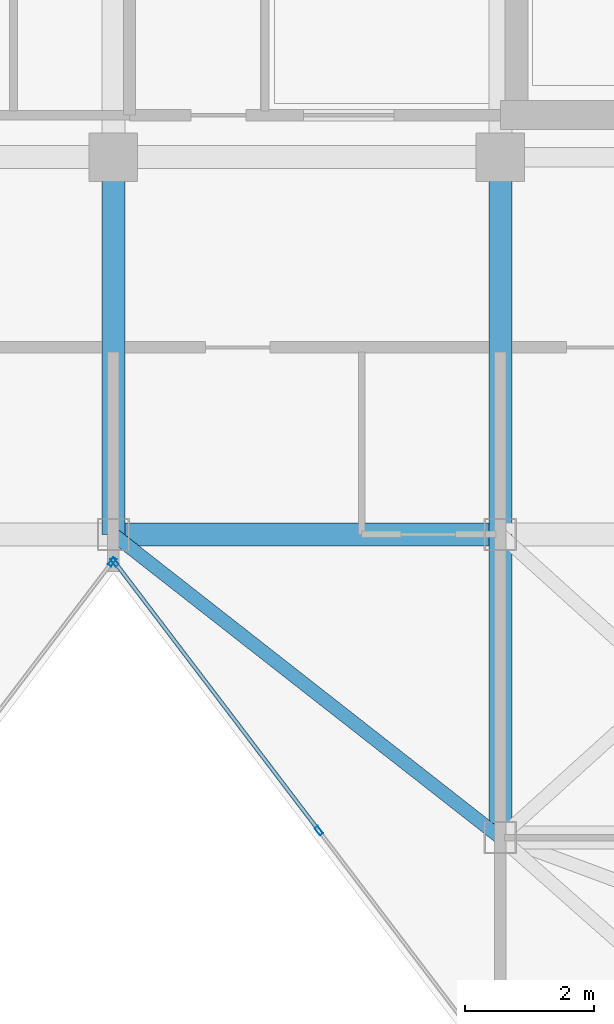
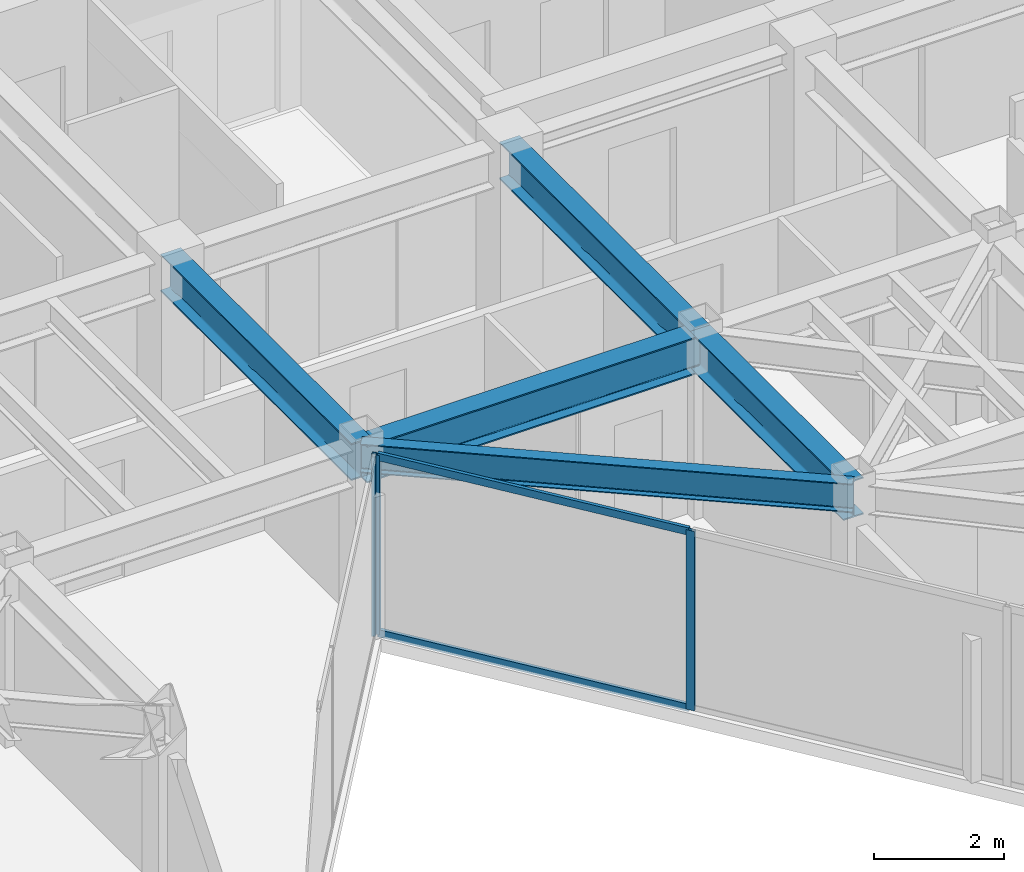
# One storey, part 9 of 19: 5 beams, 5 members, 2 elements without a shape of their own.
"""IFC4 building model written with IfcOpenShell, lengths in metres."""

from ifc_helpers import new_model, si_unit, direction, frame, origin, origin_2d, place, context, subcontext, project, spatial, hollow_rectangle, i_section, extrude, material, layer, layer_set, material_profile, profile_set, type_object, element, aggregate, save


model = new_model("IFC4")

# Units and contexts
model_context = context("Model", 3, precision=1e-05, world=origin(), true_north=direction((0.0, 1.0)))
body_context = subcontext(model_context, "Body", "Model", "MODEL_VIEW")
ifc_project = project(units=[si_unit("LENGTHUNIT", "METRE"), si_unit("AREAUNIT", "SQUARE_METRE"), si_unit("VOLUMEUNIT", "CUBIC_METRE"), si_unit("PLANEANGLEUNIT", "RADIAN"), si_unit("MASSUNIT", "GRAM", prefix="KILO")], contexts=[model_context])

# Site, building, storey
site_placement = place(None, origin())
site = spatial("IfcSite", under=ifc_project, at=site_placement, CompositionType="ELEMENT")
building_placement = place(site_placement, origin())
building = spatial("IfcBuilding", under=site, at=building_placement, Name="Kravanh Interchange Tower", CompositionType="ELEMENT")
storey_placement = place(building_placement, frame((0.0, 0.0, 267.0)))
storey = spatial("IfcBuildingStorey", under=building, at=storey_placement, Name="L65", CompositionType="ELEMENT", Elevation=267.0)

# Curtain wall, members
ifc_material_1 = material(Name="Anodised Bronze Aluminium", Category="aluminium")
ifc_layer = layer(ifc_material_1, 0.179931640625)
ifc_layer_set = layer_set([ifc_layer], Name="Unitised Curtain Wall System CW-HTL Luxury Hotel")
curtain_wall_type = type_object("IfcCurtainWallType", Name="Unitised Curtain Wall System CW-HTL Luxury Hotel", PredefinedType="NOTDEFINED", material=ifc_layer_set)
curtain_wall_1_placement = place(storey_placement, origin())
curtain_wall_1 = element("IfcCurtainWall", 1, at=curtain_wall_1_placement, inside=storey, type_object=curtain_wall_type, Name="L65 Unitised Curtain Wall CW-L65-04", PredefinedType="NOTDEFINED")
ifc_material_2 = material(Name="Anodised Bronze Aluminium", Category="aluminium")
ifc_material_profile_1 = material_profile(ifc_material_2, hollow_rectangle(XDim=0.06005859375, YDim=0.139892578125, WallThickness=0.00390625, at=origin_2d()), Name="ALU60X140X4")
ifc_profile_set_1 = profile_set([ifc_material_profile_1], Name="Anodised Bronze Aluminium")
member_type_1 = type_object("IfcMemberType", Name="Curtain Wall Mullion ALU60X140X4 Bronze", PredefinedType="MULLION", material=ifc_profile_set_1)
member_1_placement = place(storey_placement, frame((47.986572265625, 26.905517578125, 0.0), z_axis=(0.0, 0.0, 1.0), x_axis=(-0.79616243806, -0.605082946564, 0.0)))
member_1 = element("IfcMember", 2, at=member_1_placement, type_object=member_type_1, Name="CW-HTL mullion 3", PredefinedType="MULLION", context=body_context, shape_type="SweptSolid", body=[
    extrude(hollow_rectangle(XDim=0.06005859375, YDim=0.139892578125, WallThickness=0.00390625, at=origin_2d()), origin(), (0.0, 0.0, 1.0), 3.360107421875),
])
member_2_placement = place(storey_placement, frame((44.818115234375, 31.074462890625, 0.0), z_axis=(0.0, 0.0, 1.0), x_axis=(-0.79616243806, -0.605082946564, 0.0)))
member_2 = element("IfcMember", 3, at=member_2_placement, type_object=member_type_1, Name="CW-HTL mullion 4", PredefinedType="MULLION", context=body_context, shape_type="SweptSolid", body=[
    extrude(hollow_rectangle(XDim=0.06005859375, YDim=0.139892578125, WallThickness=0.00390625, at=origin_2d()), origin(), (0.0, 0.0, 1.0), 3.360107421875),
])

# Curtain wall, member
curtain_wall_2_placement = place(storey_placement, origin())
curtain_wall_2 = element("IfcCurtainWall", 4, at=curtain_wall_2_placement, inside=storey, type_object=curtain_wall_type, Name="L65 Unitised Curtain Wall CW-L65-05", PredefinedType="NOTDEFINED")
member_3_placement = place(storey_placement, frame((44.78173828125, 31.074462890625, 0.0), z_axis=(0.0, 0.0, 1.0), x_axis=(0.79616243806, -0.605082946564, 0.0)))
member_3 = element("IfcMember", 5, at=member_3_placement, type_object=member_type_1, Name="CW-HTL mullion 1", PredefinedType="MULLION", context=body_context, shape_type="SweptSolid", body=[
    extrude(hollow_rectangle(XDim=0.06005859375, YDim=0.139892578125, WallThickness=0.00390625, at=origin_2d()), origin(), (0.0, 0.0, 1.0), 3.360107421875),
])
aggregate(curtain_wall_2, [member_3])

# Member
ifc_material_3 = material(Name="Anodised Bronze Aluminium", Category="aluminium")
ifc_material_profile_2 = material_profile(ifc_material_3, hollow_rectangle(XDim=0.06005859375, YDim=0.139892578125, WallThickness=0.00390625, at=origin_2d()), Name="ALU60X140X4")
ifc_profile_set_2 = profile_set([ifc_material_profile_2], Name="Anodised Bronze Aluminium")
member_type_2 = type_object("IfcMemberType", Name="Curtain Wall Transom ALU60X140X4 Bronze", PredefinedType="USERDEFINED", material=ifc_profile_set_2)
member_4_placement = place(storey_placement, frame((47.96826171875, 26.929443359375, 0.030029296875), z_axis=(-0.605059348861, 0.796180371747, 0.0), x_axis=(-0.796180371747, -0.605059348861, 0.0)))
member_4 = element("IfcMember", 6, at=member_4_placement, type_object=member_type_2, Name="CW-HTL transom 3.1", ObjectType="TRANSOM", PredefinedType="USERDEFINED", context=body_context, shape_type="SweptSolid", body=[
    extrude(hollow_rectangle(XDim=0.06005859375, YDim=0.139892578125, WallThickness=0.00390625, at=origin_2d()), origin(), (0.0, 0.0, 1.0), 5.176025390625),
])

member_5_placement = place(storey_placement, frame((47.96826171875, 26.929443359375, 3.330078125), z_axis=(-0.605059348861, 0.796180371747, 0.0), x_axis=(-0.796180371747, -0.605059348861, 0.0)))
member_5 = element("IfcMember", 7, at=member_5_placement, type_object=member_type_2, Name="CW-HTL transom 3.2", ObjectType="TRANSOM", PredefinedType="USERDEFINED", context=body_context, shape_type="SweptSolid", body=[
    extrude(hollow_rectangle(XDim=0.06005859375, YDim=0.139892578125, WallThickness=0.00390625, at=origin_2d()), origin(), (0.0, 0.0, 1.0), 5.176025390625),
])

aggregate(curtain_wall_1, [member_1, member_2, member_4, member_5])

# Beams
ifc_material_4 = material(Name="Structural Steel S355", Category="steel")
ifc_material_profile_3 = material_profile(ifc_material_4, i_section(OverallWidth=0.35498046875, OverallDepth=0.696044921875, WebThickness=0.015380859375, FlangeThickness=0.02490234375, FilletRadius=0.02392578125, at=origin_2d()), Name="W27X146")
ifc_profile_set_3 = profile_set([ifc_material_profile_3], Name="Structural Steel S355")
beam_type_1 = type_object("IfcBeamType", Name="Floor Beam W27X146 Structural Steel S355", PredefinedType="BEAM", material=ifc_profile_set_3)
beam_1_placement = place(storey_placement, frame((44.800048828125, 31.5, 3.011962890625), z_axis=(0.0, 1.0, 0.0), x_axis=(-1.0, 0.0, 0.0)))
element("IfcBeam", 8, at=beam_1_placement, inside=storey, type_object=beam_type_1, Name="L65 Primary Floor Girder 1", PredefinedType="BEAM", context=body_context, shape_type="SweptSolid", body=[
    extrude(i_section(OverallWidth=0.35498046875, OverallDepth=0.696044921875, WebThickness=0.015380859375, FlangeThickness=0.02490234375, FilletRadius=0.02392578125, at=origin_2d()), origin(), (0.0, 0.0, 1.0), 5.85009765625),
])
beam_2_placement = place(storey_placement, frame((44.800048828125, 31.5, 3.011962890625), z_axis=(1.0, 0.0, 0.0), x_axis=(0.0, 1.0, 0.0)))
element("IfcBeam", 9, at=beam_2_placement, inside=storey, type_object=beam_type_1, Name="L65 Primary Floor Girder 2", PredefinedType="BEAM", context=body_context, shape_type="SweptSolid", body=[
    extrude(i_section(OverallWidth=0.35498046875, OverallDepth=0.696044921875, WebThickness=0.015380859375, FlangeThickness=0.02490234375, FilletRadius=0.02392578125, at=origin_2d()), origin(), (0.0, 0.0, 1.0), 6.0),
])
beam_3_placement = place(storey_placement, frame((50.800048828125, 31.5, 3.011962890625), z_axis=(0.0, -1.0, 0.0), x_axis=(1.0, 0.0, 0.0)))
element("IfcBeam", 10, at=beam_3_placement, inside=storey, type_object=beam_type_1, Name="L65 Primary Floor Girder 5", PredefinedType="BEAM", context=body_context, shape_type="SweptSolid", body=[
    extrude(i_section(OverallWidth=0.35498046875, OverallDepth=0.696044921875, WebThickness=0.015380859375, FlangeThickness=0.02490234375, FilletRadius=0.02392578125, at=origin_2d()), origin(), (0.0, 0.0, 1.0), 4.699951171875),
])
beam_4_placement = place(storey_placement, frame((50.800048828125, 31.5, 3.011962890625), z_axis=(0.0, 1.0, 0.0), x_axis=(-1.0, 0.0, 0.0)))
element("IfcBeam", 11, at=beam_4_placement, inside=storey, type_object=beam_type_1, Name="L65 Primary Floor Girder 7", PredefinedType="BEAM", context=body_context, shape_type="SweptSolid", body=[
    extrude(i_section(OverallWidth=0.35498046875, OverallDepth=0.696044921875, WebThickness=0.015380859375, FlangeThickness=0.02490234375, FilletRadius=0.02392578125, at=origin_2d()), origin(), (0.0, 0.0, 1.0), 5.85009765625),
])
ifc_material_5 = material(Name="Structural Steel S355", Category="steel")
ifc_material_profile_4 = material_profile(ifc_material_5, i_section(OverallWidth=0.2099609375, OverallDepth=0.537109375, WebThickness=0.010986328125, FlangeThickness=0.017333984375, FilletRadius=0.02001953125, at=origin_2d()), Name="W21X68")
ifc_profile_set_4 = profile_set([ifc_material_profile_4], Name="Structural Steel S355")
beam_type_2 = type_object("IfcBeamType", Name="Floor Spandrel W21X68 Structural Steel S355", PredefinedType="SPANDREL", material=ifc_profile_set_4)
beam_5_placement = place(storey_placement, frame((44.800048828125, 31.5, 3.091552734375), z_axis=(0.787231163579, -0.616658004967, 0.0), x_axis=(0.616658004967, 0.787231163579, 0.0)))
element("IfcBeam", 12, at=beam_5_placement, inside=storey, type_object=beam_type_2, Name="L65 Perimeter Spandrel 4", PredefinedType="SPANDREL", context=body_context, shape_type="SweptSolid", body=[
    extrude(i_section(OverallWidth=0.2099609375, OverallDepth=0.537109375, WebThickness=0.010986328125, FlangeThickness=0.017333984375, FilletRadius=0.02001953125, at=origin_2d()), origin(), (0.0, 0.0, 1.0), 7.62158203125),
])

save(model, "model.ifc")
